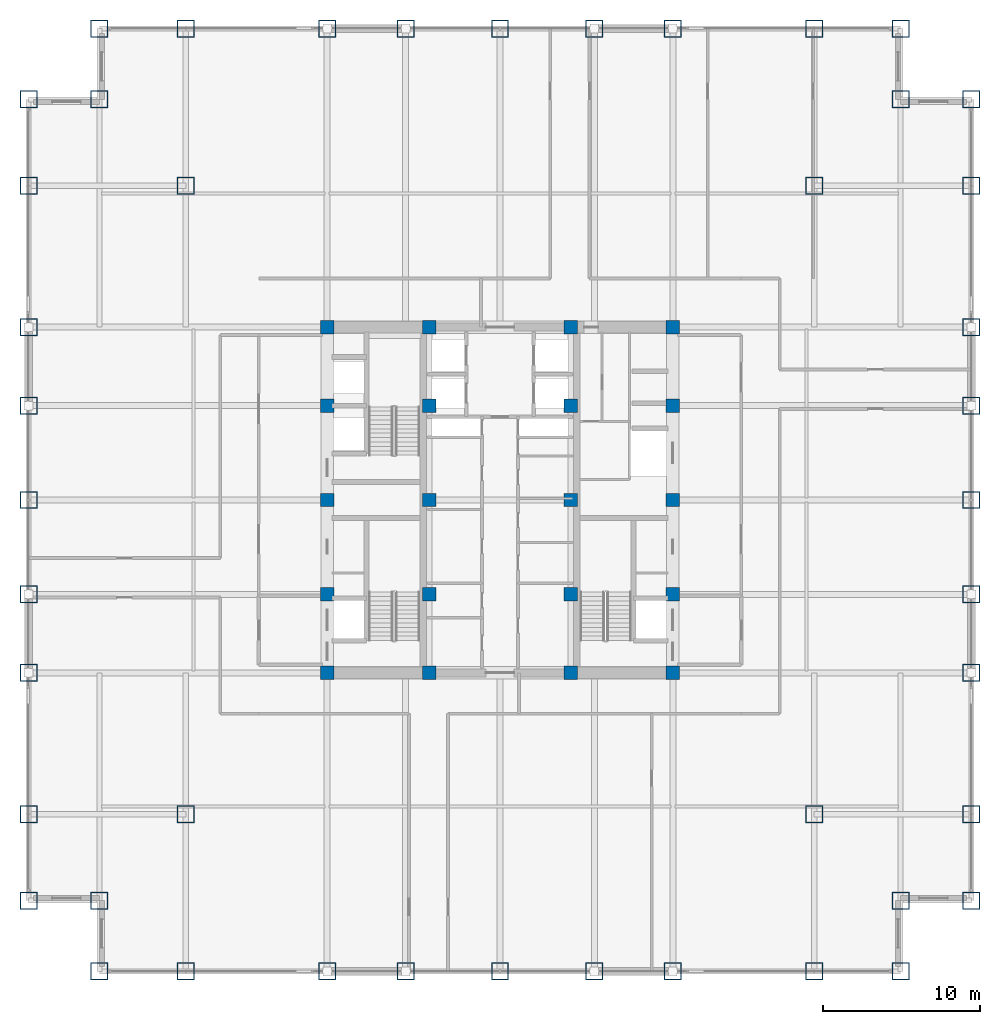
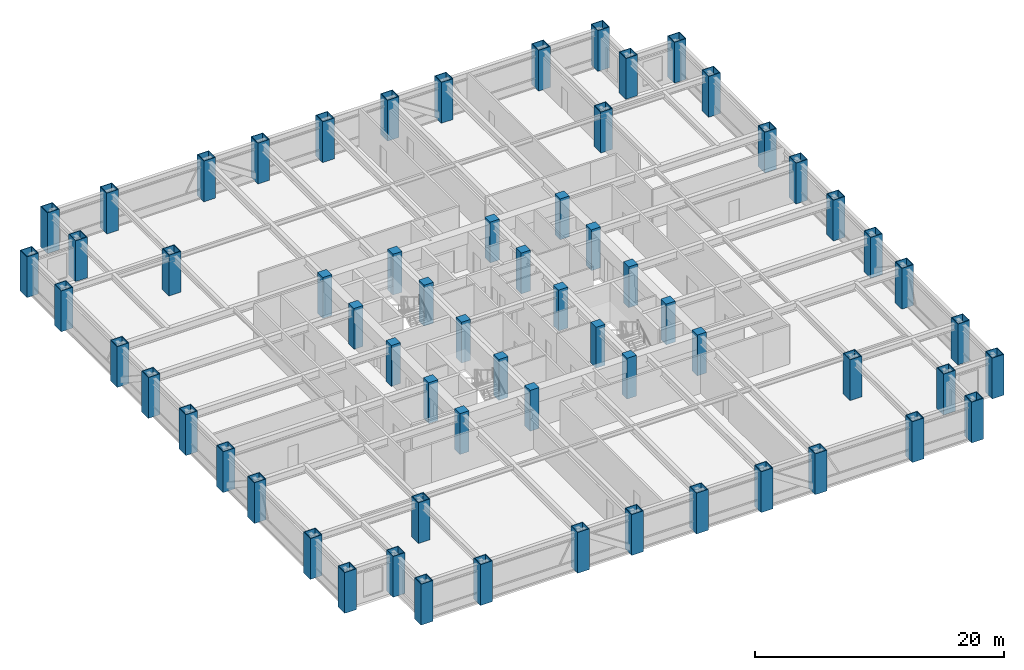
# One storey, part 1 of 24: 64 columns.
"""IFC4 building model written with IfcOpenShell, lengths in metres."""

from ifc_helpers import new_model, si_unit, direction, frame, origin, origin_2d, place, context, subcontext, project, spatial, rectangle, hollow_rectangle, extrude, source, transform, mapped, material, material_profile, profile_set, type_object, element, save


model = new_model("IFC4")

# Units and contexts
model_context = context("Model", 3, precision=1e-05, world=origin(), true_north=direction((0.0, 1.0)))
body_context = subcontext(model_context, "Body", "Model", "MODEL_VIEW")
ifc_project = project(units=[si_unit("LENGTHUNIT", "METRE"), si_unit("AREAUNIT", "SQUARE_METRE"), si_unit("VOLUMEUNIT", "CUBIC_METRE"), si_unit("PLANEANGLEUNIT", "RADIAN"), si_unit("MASSUNIT", "GRAM", prefix="KILO")], contexts=[model_context])

# Site, building, storey
site_placement = place(None, origin())
site = spatial("IfcSite", under=ifc_project, at=site_placement, CompositionType="ELEMENT")
building_placement = place(site_placement, origin())
building = spatial("IfcBuilding", under=site, at=building_placement, Name="Khorayat Bourse Tower", CompositionType="ELEMENT")
storey_placement = place(building_placement, frame((0.0, 0.0, 163.10009765625)))
storey = spatial("IfcBuildingStorey", under=building, at=storey_placement, Name="L37", CompositionType="ELEMENT", Elevation=163.10009765625)

# Columns
ifc_material_1 = material(Name="Steel EN 10025-4 S460M", Category="steel")
ifc_material_profile_1 = material_profile(ifc_material_1, hollow_rectangle(XDim=1.10009765625, YDim=1.10009765625, WallThickness=0.06005859375, at=origin_2d()), Name="BOX 1100x1100x60")
ifc_profile_set_1 = profile_set([ifc_material_profile_1], Name="Steel EN 10025-4 S460M")
column_type_1 = type_object("IfcColumnType", Name="COL-TUBE-1100", PredefinedType="COLUMN", material=ifc_profile_set_1)
shared_shape_1 = source(origin(), body_context, "Body", "SweptSolid", [
    extrude(hollow_rectangle(XDim=1.10009765625, YDim=1.10009765625, WallThickness=0.06005859375, at=origin_2d()), origin(), (0.0, 0.0, 1.0), 4.0),
])
for number, where, z_axis, x_axis, name in (
    (1, (-30.0, -25.5, 0.0), (0.0, 0.0, 1.0), (1.0, 0.0, 0.0), "L37 Column 001"),
    (2, (-30.0, -20.0, 0.0), (0.0, 0.0, 1.0), (1.0, 0.0, 0.0), "L37 Column 002"),
    (3, (-30.0, -11.0, 0.0), (0.0, 0.0, 1.0), (1.0, 0.0, 0.0), "L37 Column 003"),
    (4, (-30.0, -6.0, 0.0), (0.0, 0.0, 1.0), (1.0, 0.0, 0.0), "L37 Column 004"),
    (5, (-30.0, 0.0, 0.0), (0.0, 0.0, 1.0), (1.0, 0.0, 0.0), "L37 Column 005"),
    (6, (-30.0, 6.0, 0.0), (0.0, 0.0, 1.0), (1.0, 0.0, 0.0), "L37 Column 006"),
    (7, (-30.0, 11.0, 0.0), (0.0, 0.0, 1.0), (1.0, 0.0, 0.0), "L37 Column 007"),
    (8, (-30.0, 20.0, 0.0), (0.0, 0.0, 1.0), (1.0, 0.0, 0.0), "L37 Column 008"),
    (9, (-30.0, 25.5, 0.0), (0.0, 0.0, 1.0), (1.0, 0.0, 0.0), "L37 Column 009"),
    (10, (-25.5, -30.0, 0.0), (0.0, 0.0, 1.0), (1.0, 0.0, 0.0), "L37 Column 010"),
    (11, (-25.5, -25.5, 0.0), (0.0, 0.0, 1.0), (1.0, 0.0, 0.0), "L37 Column 011"),
    (12, (-25.5, 25.5, 0.0), (0.0, 0.0, 1.0), (1.0, 0.0, 0.0), "L37 Column 012"),
    (13, (-25.5, 30.0, 0.0), (0.0, 0.0, 1.0), (1.0, 0.0, 0.0), "L37 Column 013"),
    (14, (-20.0, -30.0, 0.0), (0.0, 0.0, 1.0), (1.0, 0.0, 0.0), "L37 Column 014"),
    (15, (-20.0, -20.0, 0.0), (0.0, 0.0, 1.0), (1.0, 0.0, 0.0), "L37 Column 015"),
    (16, (-20.0, 20.0, 0.0), (0.0, 0.0, 1.0), (1.0, 0.0, 0.0), "L37 Column 016"),
    (17, (-20.0, 30.0, 0.0), (0.0, 0.0, 1.0), (1.0, 0.0, 0.0), "L37 Column 017"),
    (18, (-11.0, -30.0, 0.0), (0.0, 0.0, 1.0), (1.0, 0.0, 0.0), "L37 Column 018"),
    (19, (-11.0, 30.0, 0.0), (0.0, 0.0, 1.0), (1.0, 0.0, 0.0), "L37 Column 024"),
    (20, (-6.0, -30.0, 0.0), (0.0, 0.0, 1.0), (1.0, 0.0, 0.0), "L37 Column 025"),
    (21, (-6.0, 30.0, 0.0), (0.0, 0.0, 1.0), (1.0, 0.0, 0.0), "L37 Column 026"),
    (22, (0.0, -30.0, 0.0), (0.0, 0.0, 1.0), (1.0, 0.0, 0.0), "L37 Column 032"),
    (23, (0.0, 30.0, 0.0), (0.0, 0.0, 1.0), (1.0, 0.0, 0.0), "L37 Column 033"),
    (24, (6.0, -30.0, 0.0), (0.0, 0.0, 1.0), (1.0, 0.0, 0.0), "L37 Column 039"),
    (25, (6.0, 30.0, 0.0), (0.0, 0.0, 1.0), (1.0, 0.0, 0.0), "L37 Column 040"),
    (26, (11.0, -30.0, 0.0), (0.0, 0.0, 1.0), (1.0, 0.0, 0.0), "L37 Column 041"),
    (27, (11.0, 30.0, 0.0), (0.0, 0.0, 1.0), (1.0, 0.0, 0.0), "L37 Column 047"),
    (28, (20.0, -30.0, 0.0), (0.0, 0.0, 1.0), (1.0, 0.0, 0.0), "L37 Column 048"),
    (29, (20.0, -20.0, 0.0), (0.0, 0.0, 1.0), (1.0, 0.0, 0.0), "L37 Column 049"),
    (30, (20.0, 20.0, 0.0), (0.0, 0.0, 1.0), (1.0, 0.0, 0.0), "L37 Column 050"),
    (31, (20.0, 30.0, 0.0), (0.0, 0.0, 1.0), (1.0, 0.0, 0.0), "L37 Column 051"),
    (32, (25.5, -30.0, 0.0), (0.0, 0.0, 1.0), (1.0, 0.0, 0.0), "L37 Column 052"),
    (33, (25.5, -25.5, 0.0), (0.0, 0.0, 1.0), (1.0, 0.0, 0.0), "L37 Column 053"),
    (34, (25.5, 25.5, 0.0), (0.0, 0.0, 1.0), (1.0, 0.0, 0.0), "L37 Column 054"),
    (35, (25.5, 30.0, 0.0), (0.0, 0.0, 1.0), (1.0, 0.0, 0.0), "L37 Column 055"),
    (36, (30.0, -25.5, 0.0), (0.0, 0.0, 1.0), (1.0, 0.0, 0.0), "L37 Column 056"),
    (37, (30.0, -20.0, 0.0), (0.0, 0.0, 1.0), (1.0, 0.0, 0.0), "L37 Column 057"),
    (38, (30.0, -11.0, 0.0), (0.0, 0.0, 1.0), (1.0, 0.0, 0.0), "L37 Column 058"),
    (39, (30.0, -6.0, 0.0), (0.0, 0.0, 1.0), (1.0, 0.0, 0.0), "L37 Column 059"),
    (40, (30.0, 0.0, 0.0), (0.0, 0.0, 1.0), (1.0, 0.0, 0.0), "L37 Column 060"),
    (41, (30.0, 6.0, 0.0), (0.0, 0.0, 1.0), (1.0, 0.0, 0.0), "L37 Column 061"),
    (42, (30.0, 11.0, 0.0), (0.0, 0.0, 1.0), (1.0, 0.0, 0.0), "L37 Column 062"),
    (43, (30.0, 20.0, 0.0), (0.0, 0.0, 1.0), (1.0, 0.0, 0.0), "L37 Column 063"),
    (44, (30.0, 25.5, 0.0), (0.0, 0.0, 1.0), (1.0, 0.0, 0.0), "L37 Column 064"),
):
    element("IfcColumn", number, at=place(storey_placement, frame(where, z_axis=z_axis, x_axis=x_axis)), inside=storey, type_object=column_type_1, Name=name, PredefinedType="COLUMN", context=body_context, shape_type="MappedRepresentation", body=[
        mapped(shared_shape_1, transform((0.0, 0.0, 0.0), scale=1.0)),
    ])
ifc_material_2 = material(Name="Concrete C60/75", Category="concrete")
ifc_material_profile_2 = material_profile(ifc_material_2, rectangle(XDim=0.85009765625, YDim=0.85009765625, at=origin_2d()), Name="RC 850x850")
ifc_profile_set_2 = profile_set([ifc_material_profile_2], Name="Concrete C60/75")
column_type_2 = type_object("IfcColumnType", Name="COL-CORE-850", PredefinedType="COLUMN", material=ifc_profile_set_2)
shared_shape_2 = source(origin(), body_context, "Body", "SweptSolid", [
    extrude(rectangle(XDim=0.85009765625, YDim=0.85009765625, at=origin_2d()), origin(), (0.0, 0.0, 1.0), 4.0),
])
for number, where, z_axis, x_axis, name in (
    (45, (-11.0, -11.0, 0.0), (0.0, 0.0, 1.0), (1.0, 0.0, 0.0), "L37 Column 019"),
    (46, (-11.0, -6.0, 0.0), (0.0, 0.0, 1.0), (1.0, 0.0, 0.0), "L37 Column 020"),
    (47, (-11.0, 0.0, 0.0), (0.0, 0.0, 1.0), (1.0, 0.0, 0.0), "L37 Column 021"),
    (48, (-11.0, 6.0, 0.0), (0.0, 0.0, 1.0), (1.0, 0.0, 0.0), "L37 Column 022"),
    (49, (-11.0, 11.0, 0.0), (0.0, 0.0, 1.0), (1.0, 0.0, 0.0), "L37 Column 023"),
    (50, (-4.5, -11.0, 0.0), (0.0, 0.0, 1.0), (1.0, 0.0, 0.0), "L37 Column 027"),
    (51, (-4.5, -6.0, 0.0), (0.0, 0.0, 1.0), (1.0, 0.0, 0.0), "L37 Column 028"),
    (52, (-4.5, 0.0, 0.0), (0.0, 0.0, 1.0), (1.0, 0.0, 0.0), "L37 Column 029"),
    (53, (-4.5, 6.0, 0.0), (0.0, 0.0, 1.0), (1.0, 0.0, 0.0), "L37 Column 030"),
    (54, (-4.5, 11.0, 0.0), (0.0, 0.0, 1.0), (1.0, 0.0, 0.0), "L37 Column 031"),
    (55, (4.5, -11.0, 0.0), (0.0, 0.0, 1.0), (1.0, 0.0, 0.0), "L37 Column 034"),
    (56, (4.5, -6.0, 0.0), (0.0, 0.0, 1.0), (1.0, 0.0, 0.0), "L37 Column 035"),
    (57, (4.5, 0.0, 0.0), (0.0, 0.0, 1.0), (1.0, 0.0, 0.0), "L37 Column 036"),
    (58, (4.5, 6.0, 0.0), (0.0, 0.0, 1.0), (1.0, 0.0, 0.0), "L37 Column 037"),
    (59, (4.5, 11.0, 0.0), (0.0, 0.0, 1.0), (1.0, 0.0, 0.0), "L37 Column 038"),
    (60, (11.0, -11.0, 0.0), (0.0, 0.0, 1.0), (1.0, 0.0, 0.0), "L37 Column 042"),
    (61, (11.0, -6.0, 0.0), (0.0, 0.0, 1.0), (1.0, 0.0, 0.0), "L37 Column 043"),
    (62, (11.0, 0.0, 0.0), (0.0, 0.0, 1.0), (1.0, 0.0, 0.0), "L37 Column 044"),
    (63, (11.0, 6.0, 0.0), (0.0, 0.0, 1.0), (1.0, 0.0, 0.0), "L37 Column 045"),
    (64, (11.0, 11.0, 0.0), (0.0, 0.0, 1.0), (1.0, 0.0, 0.0), "L37 Column 046"),
):
    element("IfcColumn", number, at=place(storey_placement, frame(where, z_axis=z_axis, x_axis=x_axis)), inside=storey, type_object=column_type_2, Name=name, PredefinedType="COLUMN", context=body_context, shape_type="MappedRepresentation", body=[
        mapped(shared_shape_2, transform((0.0, 0.0, 0.0), scale=1.0)),
    ])

save(model, "model.ifc")
